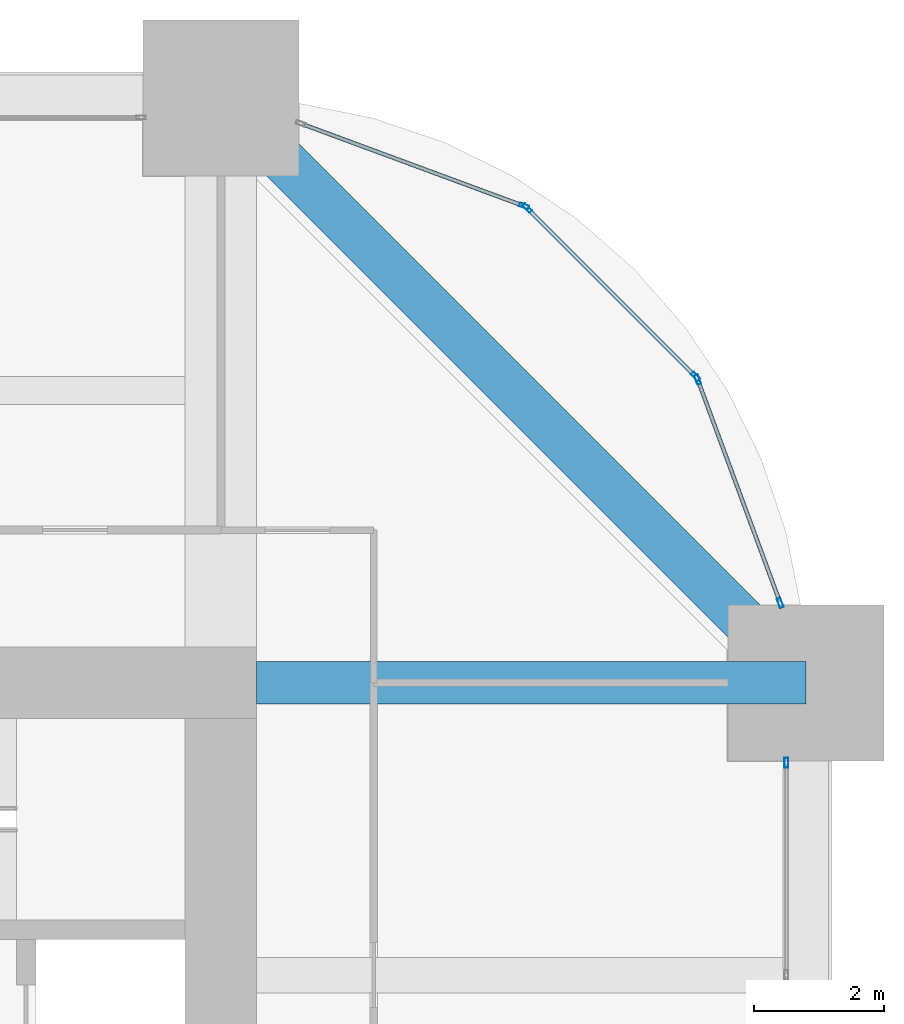
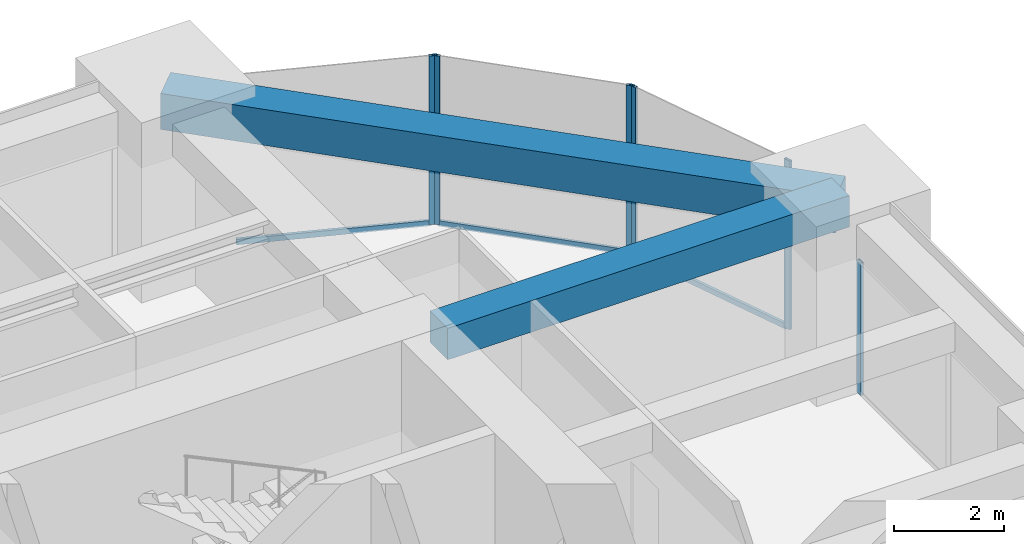
# One storey, part 27 of 32: 9 members, 2 beams, 4 elements without a shape of their own.
"""IFC4 building model written with IfcOpenShell, lengths in metres."""

import ifcopenshell
import ifcopenshell.guid

model = None  # the IFC model being written
_history = None  # IfcOwnerHistory: only IFC2X3 demands one
_inside = {}  # id of a spatial element -> (the spatial element, [elements in it])
_under = {}  # id of a project, library or spatial element -> (it, [spatial elements below it])
_declared = {}  # id of a project -> (the project, [libraries it declares])
_typed = {}  # id of a type object -> (the type object, [elements of that type])
_made_of = {}  # id of a material, layer set ... -> (it, [elements and type objects made of it])


def new_model(schema):
    """Start an empty IFC model of exactly this schema.

    Asked for "IFC4X3", IfcOpenShell would pick the latest addendum, in which some entities
    have other attributes; the version numbers below select the first issue.
    IFC2X3 requires an IfcOwnerHistory on every rooted entity: one is made here for all.
    """
    global model, _history
    if schema == "IFC4X3":
        model = ifcopenshell.file(schema_version=(4, 3, 0, 0))
    else:
        model = ifcopenshell.file(schema=schema)
    _inside.clear()
    _under.clear()
    _declared.clear()
    _typed.clear()
    _made_of.clear()
    _history = None
    if model.schema == "IFC2X3":
        org = make("IfcOrganization", Name="unknown")
        user = make(
            "IfcPersonAndOrganization",
            ThePerson=make("IfcPerson", FamilyName="unknown"),
            TheOrganization=org,
        )
        app = make(
            "IfcApplication",
            ApplicationDeveloper=org,
            Version="unknown",
            ApplicationFullName="unknown",
            ApplicationIdentifier="unknown",
        )
        _history = make(
            "IfcOwnerHistory",
            OwningUser=user,
            OwningApplication=app,
            ChangeAction="ADDED",
            CreationDate=0,
        )
    return model


def make(cls, **values):
    """One entity of the class cls with the attributes given. An attribute that is None is left unset."""
    return model.create_entity(
        cls, **{name: value for name, value in values.items() if value is not None}
    )


def rooted(cls, **values):
    """An entity with a GlobalId (a new one), such as an element, a storey or a relation."""
    return make(cls, GlobalId=ifcopenshell.guid.new(), OwnerHistory=_history, **values)


def si_unit(unit_type, name, prefix=None):
    """IfcSIUnit, for example si_unit("LENGTHUNIT", "METRE", prefix="MILLI")."""
    return make("IfcSIUnit", UnitType=unit_type, Prefix=prefix, Name=name)


def assignment(units):
    """IfcUnitAssignment: the units of a project."""
    return None if units is None else make("IfcUnitAssignment", Units=units)


def point(xyz):
    """IfcCartesianPoint."""
    return None if xyz is None else make("IfcCartesianPoint", Coordinates=xyz)


def direction(xyz):
    """IfcDirection."""
    return None if xyz is None else make("IfcDirection", DirectionRatios=xyz)


def frame(location, z_axis=None, x_axis=None):
    """IfcAxis2Placement3D, a coordinate frame: its origin and axes. An axis left out is left unset."""
    return make(
        "IfcAxis2Placement3D",
        Location=point(location),
        Axis=direction(z_axis),
        RefDirection=direction(x_axis),
    )


def frame_2d(location, x_axis=None):
    """IfcAxis2Placement2D, a coordinate frame in the plane: its origin and x axis."""
    return make(
        "IfcAxis2Placement2D", Location=point(location), RefDirection=direction(x_axis)
    )


def origin():
    """The frame at (0, 0, 0) with its axes left unset."""
    return frame((0.0, 0.0, 0.0))


def origin_2d():
    """The frame at (0, 0) in the plane with its x axis left unset."""
    return frame_2d((0.0, 0.0))


def place(relative_to, where):
    """IfcLocalPlacement: puts the frame where relative to a parent placement (None: the world)."""
    return make(
        "IfcLocalPlacement", PlacementRelTo=relative_to, RelativePlacement=where
    )


def context(
    kind, dimensions, precision=None, world=None, true_north=None, identifier=None
):
    """IfcGeometricRepresentationContext, for example the 3D "Model" context."""
    return make(
        "IfcGeometricRepresentationContext",
        ContextIdentifier=identifier,
        ContextType=kind,
        CoordinateSpaceDimension=dimensions,
        Precision=precision,
        WorldCoordinateSystem=world,
        TrueNorth=true_north,
    )


def subcontext(parent, identifier, kind, view, scale=None):
    """IfcGeometricRepresentationSubContext, for example "Body" below "Model"."""
    return make(
        "IfcGeometricRepresentationSubContext",
        ContextIdentifier=identifier,
        ContextType=kind,
        ParentContext=parent,
        TargetScale=scale,
        TargetView=view,
    )


def project(units=None, contexts=None):
    """IfcProject with its units and contexts."""
    return rooted(
        "IfcProject",
        Name="project",
        RepresentationContexts=contexts,
        UnitsInContext=assignment(units),
    )


def spatial(cls, under=None, at=None, **own):
    """A site, building, storey or space (cls), placed at a placement, below another one or the project."""
    s = rooted(cls, ObjectPlacement=at, **own)
    if under is not None:
        _under.setdefault(under.id(), (under, []))[1].append(s)
    return s


def profile(cls, at=None, kind="AREA", **sizes):
    """A parametric profile (cls). Its sizes go by their IFC names, for example OverallWidth=200.0."""
    return make(cls, ProfileType=kind, Position=at, **sizes)


def rectangle(**sizes):
    """IfcRectangleProfileDef."""
    return profile("IfcRectangleProfileDef", **sizes)


def hollow_rectangle(**sizes):
    """IfcRectangleHollowProfileDef."""
    return profile("IfcRectangleHollowProfileDef", **sizes)


def extrude(swept, where, along, depth):
    """IfcExtrudedAreaSolid: the profile swept, set in the frame where, extruded along a direction by depth."""
    return make(
        "IfcExtrudedAreaSolid",
        SweptArea=swept,
        Position=where,
        ExtrudedDirection=direction(along),
        Depth=depth,
    )


def shape(context_of_items, identifier, shape_type, items):
    """IfcShapeRepresentation: the items that make up one representation, for example the "Body"."""
    return make(
        "IfcShapeRepresentation",
        ContextOfItems=context_of_items,
        RepresentationIdentifier=identifier,
        RepresentationType=shape_type,
        Items=items,
    )


def material(Name=None, Category=None):
    """IfcMaterial."""
    return make("IfcMaterial", Name=Name, Category=Category)


def material_profile(
    of_material, cross_section, Name=None, Category=None, Priority=None
):
    """IfcMaterialProfile: a cross section and its material."""
    return make(
        "IfcMaterialProfile",
        Name=Name,
        Material=of_material,
        Profile=cross_section,
        Priority=Priority,
        Category=Category,
    )


def profile_set(profiles, Name=None, composite=None):
    """IfcMaterialProfileSet."""
    return make(
        "IfcMaterialProfileSet",
        Name=Name,
        MaterialProfiles=profiles,
        CompositeProfile=composite,
    )


def made_of(thing, what):
    """Note that an element or type object is made of a material, layer set ...; save() writes the relation."""
    if what is not None:
        _made_of.setdefault(what.id(), (what, []))[1].append(thing)
    return thing


def type_object(cls, material=None, **own):
    """A type object (cls), such as IfcWallType, which elements share."""
    return made_of(rooted(cls, **own), material)


def element(
    cls,
    number,
    at=None,
    inside=None,
    cuts=None,
    type_object=None,
    material=None,
    context=None,
    identifier="Body",
    shape_type=None,
    held_by="IfcProductDefinitionShape",
    body=None,
    shapes=None,
    **own,
):
    """One element of the class cls, such as IfcWall. Its Tag is "e" and its number.

    at: its placement. inside: the storey or other place that contains it. cuts: it is an
    opening in that element (IfcRelVoidsElement). A single representation is given by context,
    identifier, shape_type and body (its items); several are given by shapes. held_by: the class
    of the entity that holds the representations. save() writes the other relations.
    """
    e = rooted(cls, Tag="e%d" % number, ObjectPlacement=at, **own)
    if body is not None:
        shapes = [shape(context, identifier, shape_type, body)]
    if shapes is not None:
        e.Representation = make(held_by, Representations=shapes)
    if inside is not None:
        _inside.setdefault(inside.id(), (inside, []))[1].append(e)
    if cuts is not None:
        rooted(
            "IfcRelVoidsElement", RelatingBuildingElement=cuts, RelatedOpeningElement=e
        )
    if type_object is not None:
        _typed.setdefault(type_object.id(), (type_object, []))[1].append(e)
    return made_of(e, material)


def aggregate(whole, parts):
    """IfcRelAggregates: a whole, such as a stair, and the parts it consists of."""
    return rooted("IfcRelAggregates", RelatingObject=whole, RelatedObjects=parts)


def save(model, path):
    """Write the relations noted so far, then the file.

    IfcRelAggregates (storeys below a building ...), IfcRelContainedInSpatialStructure (elements
    in a storey), IfcRelDefinesByType, IfcRelAssociatesMaterial and IfcRelDeclares: one each for
    every whole, place, type object, material and project.
    """
    for whole, parts in _under.values():
        aggregate(whole, parts)
    for where, things in _inside.values():
        rooted(
            "IfcRelContainedInSpatialStructure",
            RelatedElements=things,
            RelatingStructure=where,
        )
    for kind, things in _typed.values():
        rooted("IfcRelDefinesByType", RelatedObjects=things, RelatingType=kind)
    for what, things in _made_of.values():
        rooted("IfcRelAssociatesMaterial", RelatedObjects=things, RelatingMaterial=what)
    for by, libraries in _declared.values():
        rooted("IfcRelDeclares", RelatingContext=by, RelatedDefinitions=libraries)
    model.write(path)


model = new_model("IFC4")

# Units and contexts
model_context = context("Model", 3, precision=1e-05, world=origin(), true_north=direction((0.0, 1.0)))
body_context = subcontext(model_context, "Body", "Model", "MODEL_VIEW")
ifc_project = project(units=[si_unit("LENGTHUNIT", "METRE"), si_unit("AREAUNIT", "SQUARE_METRE"), si_unit("VOLUMEUNIT", "CUBIC_METRE"), si_unit("PLANEANGLEUNIT", "RADIAN"), si_unit("MASSUNIT", "GRAM", prefix="KILO")], contexts=[model_context])

# Site, building, storey
site_placement = place(None, origin())
site = spatial("IfcSite", under=ifc_project, at=site_placement, CompositionType="ELEMENT")
building_placement = place(site_placement, origin())
building = spatial("IfcBuilding", under=site, at=building_placement, Name="Zorevar Civic Tower", CompositionType="ELEMENT")
storey_placement = place(building_placement, frame((0.0, 0.0, 202.199951171875)))
storey = spatial("IfcBuildingStorey", under=building, at=storey_placement, Name="L49", CompositionType="ELEMENT", Elevation=202.199951171875)

# Beam
ifc_material_1 = material(Name="Concrete C50/60", Category="concrete")
ifc_material_profile_1 = material_profile(ifc_material_1, rectangle(XDim=0.64990234375, YDim=0.699951171875, at=origin_2d()), Name="RC 650x700")
ifc_profile_set_1 = profile_set([ifc_material_profile_1], Name="Concrete C50/60")
beam_type_1 = type_object("IfcBeamType", Name="Beam RC 650x700", PredefinedType="BEAM", material=ifc_profile_set_1)
beam_1_placement = place(storey_placement, frame((45.550048828125, 36.0, 3.400146484375), z_axis=(1.0, 0.0, 0.0), x_axis=(0.0, 1.0, 0.0)))
element("IfcBeam", 1, at=beam_1_placement, inside=storey, type_object=beam_type_1, Name="Girder L50", PredefinedType="BEAM", context=body_context, shape_type="SweptSolid", body=[
    extrude(rectangle(XDim=0.64990234375, YDim=0.699951171875, at=origin_2d()), origin(), (0.0, 0.0, 1.0), 8.449951171875),
])

# Curtain wall, member
ifc_material_2 = material(Name="Dark grey solar-control glass in black aluminium frame", Category="aluminium")
curtain_wall_type = type_object("IfcCurtainWallType", Name="Curtain wall CW4 high zone", PredefinedType="NOTDEFINED", material=ifc_material_2)
curtain_wall_1_placement = place(storey_placement, origin())
curtain_wall_1 = element("IfcCurtainWall", 2, at=curtain_wall_1_placement, inside=storey, type_object=curtain_wall_type, Name="CW4 L49", PredefinedType="NOTDEFINED")
ifc_material_3 = material(Name="Aluminium, black anodised", Category="aluminium")
ifc_material_profile_2 = material_profile(ifc_material_3, hollow_rectangle(XDim=0.06005859375, YDim=0.14990234375, WallThickness=0.00390625, at=origin_2d()), Name="AL 150x60x4")
ifc_profile_set_2 = profile_set([ifc_material_profile_2], Name="Aluminium, black anodised")
member_type_1 = type_object("IfcMemberType", Name="CW4 mullion AL 150x60x4", PredefinedType="MULLION", material=ifc_profile_set_2)
member_1_placement = place(storey_placement, frame((53.699951171875, 34.77001953125, 0.0), z_axis=(0.0, 0.0, 1.0), x_axis=(-1.0, 0.0, 0.0)))
member_1 = element("IfcMember", 3, at=member_1_placement, type_object=member_type_1, Name="CW4 mullion 3", PredefinedType="MULLION", context=body_context, shape_type="SweptSolid", body=[
    extrude(hollow_rectangle(XDim=0.06005859375, YDim=0.14990234375, WallThickness=0.00390625, at=origin_2d()), origin(), (0.0, 0.0, 1.0), 2.949951171875),
])
aggregate(curtain_wall_1, [member_1])

# Curtain wall, members
curtain_wall_2_placement = place(storey_placement, origin())
curtain_wall_2 = element("IfcCurtainWall", 4, at=curtain_wall_2_placement, inside=storey, type_object=curtain_wall_type, Name="CW4 L49", PredefinedType="NOTDEFINED")
member_2_placement = place(storey_placement, frame((53.6064453125, 37.22802734375, 0.0), z_axis=(0.0, 0.0, 1.0), x_axis=(-0.937974588163, -0.346704012033, 0.0)))
member_2 = element("IfcMember", 5, at=member_2_placement, type_object=member_type_1, Name="CW4 mullion 1", PredefinedType="MULLION", context=body_context, shape_type="SweptSolid", body=[
    extrude(hollow_rectangle(XDim=0.06005859375, YDim=0.14990234375, WallThickness=0.00390625, at=origin_2d()), origin(), (0.0, 0.0, 1.0), 3.75),
])
member_3_placement = place(storey_placement, frame((52.336181640625, 40.66455078125, 0.0), z_axis=(0.0, 0.0, 1.0), x_axis=(-0.937974588163, -0.346704012033, 0.0)))
member_3 = element("IfcMember", 6, at=member_3_placement, type_object=member_type_1, Name="CW4 mullion 2", PredefinedType="MULLION", context=body_context, shape_type="SweptSolid", body=[
    extrude(hollow_rectangle(XDim=0.06005859375, YDim=0.14990234375, WallThickness=0.00390625, at=origin_2d()), origin(), (0.0, 0.0, 1.0), 3.75),
])

curtain_wall_3_placement = place(storey_placement, origin())
curtain_wall_3 = element("IfcCurtainWall", 7, at=curtain_wall_3_placement, inside=storey, type_object=curtain_wall_type, Name="CW4 L49", PredefinedType="NOTDEFINED")
member_4_placement = place(storey_placement, frame((52.3046875, 40.7138671875, 0.0), z_axis=(0.0, 0.0, 1.0), x_axis=(-0.707106781187, -0.707106781187, 0.0)))
member_4 = element("IfcMember", 8, at=member_4_placement, type_object=member_type_1, Name="CW4 mullion 1", PredefinedType="MULLION", context=body_context, shape_type="SweptSolid", body=[
    extrude(hollow_rectangle(XDim=0.06005859375, YDim=0.14990234375, WallThickness=0.00390625, at=origin_2d()), origin(), (0.0, 0.0, 1.0), 3.75),
])
member_5_placement = place(storey_placement, frame((49.7138671875, 43.3046875, 0.0), z_axis=(0.0, 0.0, 1.0), x_axis=(-0.707106781187, -0.707106781187, 0.0)))
member_5 = element("IfcMember", 9, at=member_5_placement, type_object=member_type_1, Name="CW4 mullion 2", PredefinedType="MULLION", context=body_context, shape_type="SweptSolid", body=[
    extrude(hollow_rectangle(XDim=0.06005859375, YDim=0.14990234375, WallThickness=0.00390625, at=origin_2d()), origin(), (0.0, 0.0, 1.0), 3.75),
])

# Curtain wall, member
curtain_wall_4_placement = place(storey_placement, origin())
curtain_wall_4 = element("IfcCurtainWall", 10, at=curtain_wall_4_placement, inside=storey, type_object=curtain_wall_type, Name="CW4 L49", PredefinedType="NOTDEFINED")
member_6_placement = place(storey_placement, frame((49.66455078125, 43.336181640625, 0.0), z_axis=(0.0, 0.0, 1.0), x_axis=(-0.346704012033, -0.937974588163, 0.0)))
member_6 = element("IfcMember", 11, at=member_6_placement, type_object=member_type_1, Name="CW4 mullion 1", PredefinedType="MULLION", context=body_context, shape_type="SweptSolid", body=[
    extrude(hollow_rectangle(XDim=0.06005859375, YDim=0.14990234375, WallThickness=0.00390625, at=origin_2d()), origin(), (0.0, 0.0, 1.0), 3.75),
])

# Member
ifc_material_4 = material(Name="Aluminium, black anodised", Category="aluminium")
ifc_material_profile_3 = material_profile(ifc_material_4, hollow_rectangle(XDim=0.06005859375, YDim=0.1201171875, WallThickness=0.0029296875, at=origin_2d()), Name="AL 120x60x3")
ifc_profile_set_3 = profile_set([ifc_material_profile_3], Name="Aluminium, black anodised")
member_type_2 = type_object("IfcMemberType", Name="CW4 transom AL 120x60x3", PredefinedType="USERDEFINED", material=ifc_profile_set_3)
member_7_placement = place(storey_placement, frame((53.595947265625, 37.25634765625, 0.030029296875), z_axis=(-0.346672169799, 0.93798635741, 0.0), x_axis=(-0.93798635741, -0.346672169799, 0.0)))
member_7 = element("IfcMember", 12, at=member_7_placement, type_object=member_type_2, Name="CW4 sill transom", ObjectType="TRANSOM", PredefinedType="USERDEFINED", context=body_context, shape_type="SweptSolid", body=[
    extrude(hollow_rectangle(XDim=0.06005859375, YDim=0.1201171875, WallThickness=0.0029296875, at=origin_2d()), origin(), (0.0, 0.0, 1.0), 3.603515625),
])

aggregate(curtain_wall_2, [member_2, member_3, member_7])

member_8_placement = place(storey_placement, frame((52.283447265625, 40.735107421875, 0.030029296875), z_axis=(-0.707106781187, 0.707106781187, 0.0), x_axis=(-0.707106781187, -0.707106781187, 0.0)))
member_8 = element("IfcMember", 13, at=member_8_placement, type_object=member_type_2, Name="CW4 sill transom", ObjectType="TRANSOM", PredefinedType="USERDEFINED", context=body_context, shape_type="SweptSolid", body=[
    extrude(hollow_rectangle(XDim=0.06005859375, YDim=0.1201171875, WallThickness=0.0029296875, at=origin_2d()), origin(), (0.0, 0.0, 1.0), 3.60400390625),
])

aggregate(curtain_wall_3, [member_4, member_5, member_8])

member_9_placement = place(storey_placement, frame((49.636474609375, 43.3466796875, 0.030029296875), z_axis=(-0.93798635741, 0.346672169799, 0.0), x_axis=(-0.346672169799, -0.93798635741, 0.0)))
member_9 = element("IfcMember", 14, at=member_9_placement, type_object=member_type_2, Name="CW4 sill transom", ObjectType="TRANSOM", PredefinedType="USERDEFINED", context=body_context, shape_type="SweptSolid", body=[
    extrude(hollow_rectangle(XDim=0.06005859375, YDim=0.1201171875, WallThickness=0.0029296875, at=origin_2d()), origin(), (0.0, 0.0, 1.0), 3.603515625),
])

aggregate(curtain_wall_4, [member_6, member_9])

# Beam
ifc_material_5 = material(Name="Concrete C50/60", Category="concrete")
ifc_material_profile_4 = material_profile(ifc_material_5, rectangle(XDim=0.699951171875, YDim=0.800048828125, at=origin_2d()), Name="RC 700x800")
ifc_profile_set_4 = profile_set([ifc_material_profile_4], Name="Concrete C50/60")
beam_type_2 = type_object("IfcBeamType", Name="Edge beam RC 700x800", PredefinedType="SPANDREL", material=ifc_profile_set_4)
beam_2_placement = place(storey_placement, frame((54.0, 36.0, 3.35009765625), z_axis=(-0.707106781187, 0.707106781187, 0.0), x_axis=(-0.707106781187, -0.707106781187, 0.0)))
element("IfcBeam", 15, at=beam_2_placement, inside=storey, type_object=beam_type_2, Name="Corner edge beam L50", PredefinedType="SPANDREL", context=body_context, shape_type="SweptSolid", body=[
    extrude(rectangle(XDim=0.699951171875, YDim=0.800048828125, at=origin_2d()), origin(), (0.0, 0.0, 1.0), 12.72802734375),
])

save(model, "model.ifc")
